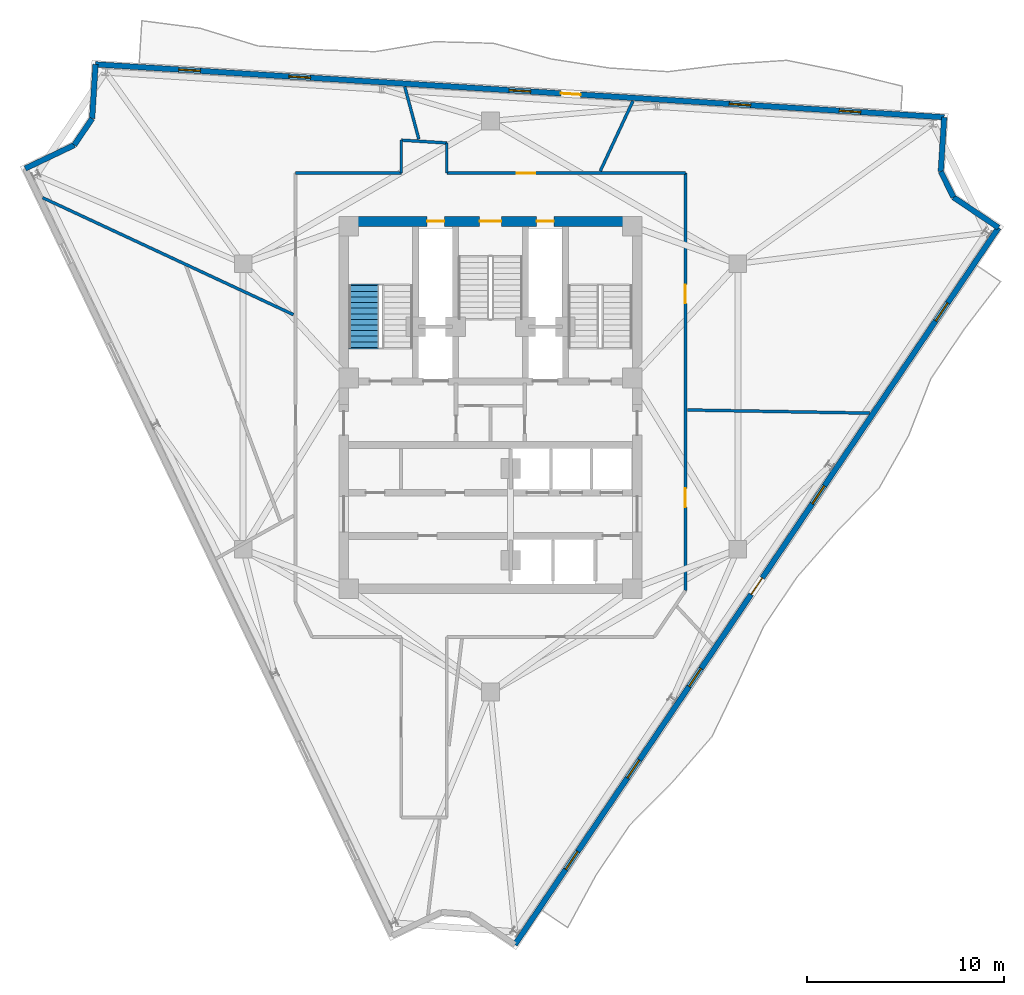
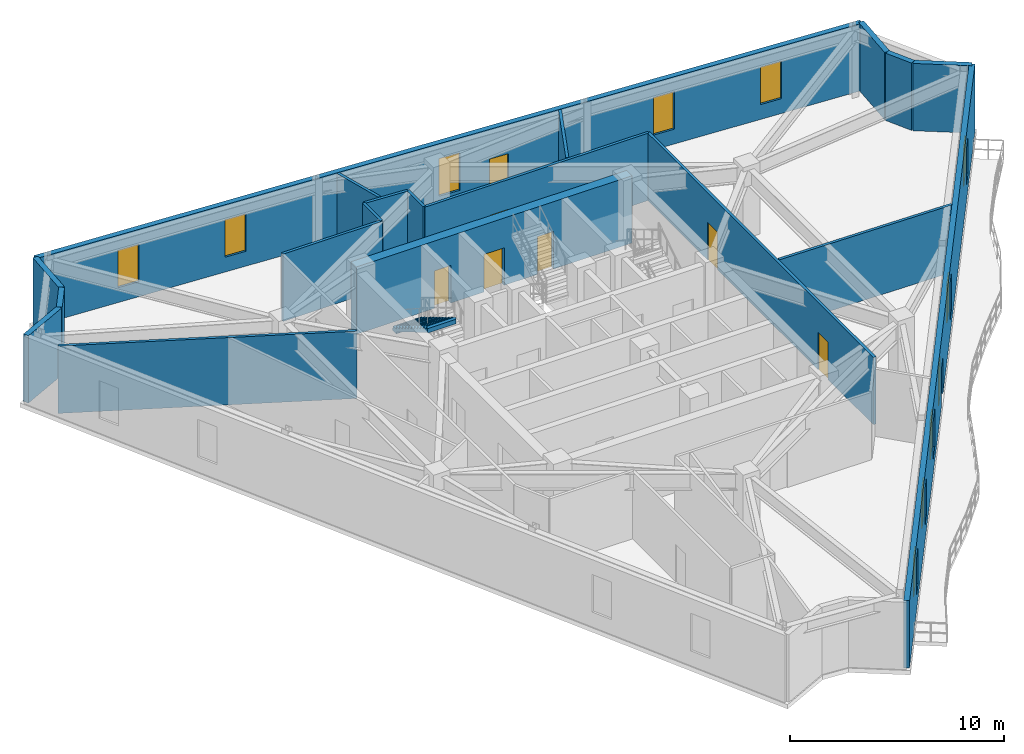
# One storey, part 7 of 10: 19 walls, 10 windows, 8 doors, 1 stair flight, 18 openings, 1 element without a shape of its own.
"""IFC4 building model written with IfcOpenShell, lengths in metres."""

from ifc_helpers import new_model, si_unit, direction, frame, frame_2d, origin, place, context, subcontext, project, spatial, polyline, rectangle, outline, extrude, material, layer, layer_set, type_object, element, fill, aggregate, save


model = new_model("IFC4")

# Units and contexts
model_context = context("Model", 3, precision=1e-05, world=origin(), true_north=direction((0.0, 1.0)))
body_context = subcontext(model_context, "Body", "Model", "MODEL_VIEW")
ifc_project = project(units=[si_unit("LENGTHUNIT", "METRE"), si_unit("AREAUNIT", "SQUARE_METRE"), si_unit("VOLUMEUNIT", "CUBIC_METRE"), si_unit("PLANEANGLEUNIT", "RADIAN"), si_unit("MASSUNIT", "GRAM", prefix="KILO")], contexts=[model_context])

# Site, building, storey
site_placement = place(None, origin())
site = spatial("IfcSite", under=ifc_project, at=site_placement, CompositionType="ELEMENT")
building_placement = place(site_placement, origin())
building = spatial("IfcBuilding", under=site, at=building_placement, Name="Apsidion Concourse Tower", CompositionType="ELEMENT")
storey_placement = place(building_placement, frame((0.0, 0.0, 310.60009765625)))
storey = spatial("IfcBuildingStorey", under=building, at=storey_placement, Name="L73", CompositionType="ELEMENT", Elevation=310.60009765625)

# Wall, openings, door, windows
ifc_material_1 = material(Name="Precast concrete C40/50", Category="concrete")
ifc_layer_1 = layer(ifc_material_1, 0.280029296875)
ifc_layer_set_1 = layer_set([ifc_layer_1], Name="Precast concrete C40/50")
wall_type_1 = type_object("IfcWallType", Name="WL-EXT-280", PredefinedType="STANDARD", material=ifc_layer_set_1)
wall_1_placement = place(storey_placement, frame((-20.056396484375, 17.376220703125, 0.0), z_axis=(0.0, 0.0, 1.0), x_axis=(0.998061236898, -0.06223959674, 0.0)))
wall_1 = element("IfcWall", 1, at=wall_1_placement, inside=storey, type_object=wall_type_1, Name="L73 Precast Stone Facade Wall 01", PredefinedType="STANDARD", context=body_context, shape_type="SweptSolid", body=[
    extrude(rectangle(XDim=43.179931640625, YDim=0.280029296875, at=frame_2d((21.58984375, 0.0))), origin(), (0.0, 0.0, 1.0), 3.849853515625),
])
opening_1_placement = place(wall_1_placement, frame((23.680908203125, 0.0, 0.0)))
opening_1 = element("IfcOpeningElement", 2, at=opening_1_placement, cuts=wall_1, Name="Opening D-T1L", PredefinedType="OPENING", context=body_context, shape_type="SweptSolid", body=[
    extrude(rectangle(XDim=1.0, YDim=2.14990234375, at=frame_2d((0.5, 1.074951171875))), frame((0.0, 0.14990234375, 0.0), z_axis=(0.0, -1.0, 0.0), x_axis=(1.0, 0.0, 0.0)), (0.0, 0.0, 1.0), 0.300048828125),
])
opening_2_placement = place(wall_1_placement, frame((4.239990234375, 0.0, 0.85009765625)))
opening_2 = element("IfcOpeningElement", 3, at=opening_2_placement, cuts=wall_1, Name="Opening WN-07", PredefinedType="OPENING", context=body_context, shape_type="SweptSolid", body=[
    extrude(rectangle(XDim=1.10009765625, YDim=2.14990234375, at=frame_2d((0.550048828125, 1.074951171875))), frame((0.0, 0.14990234375, 0.0), z_axis=(0.0, -1.0, 0.0), x_axis=(1.0, 0.0, 0.0)), (0.0, 0.0, 1.0), 0.300048828125),
])
opening_3_placement = place(wall_1_placement, frame((9.840087890625, 0.0, 0.85009765625)))
opening_3 = element("IfcOpeningElement", 4, at=opening_3_placement, cuts=wall_1, Name="Opening WN-07", PredefinedType="OPENING", context=body_context, shape_type="SweptSolid", body=[
    extrude(rectangle(XDim=1.10009765625, YDim=2.14990234375, at=frame_2d((0.550048828125, 1.074951171875))), frame((0.0, 0.14990234375, 0.0), z_axis=(0.0, -1.0, 0.0), x_axis=(1.0, 0.0, 0.0)), (0.0, 0.0, 1.0), 0.300048828125),
])
opening_4_placement = place(wall_1_placement, frame((21.0400390625, 0.0, 0.85009765625)))
opening_4 = element("IfcOpeningElement", 5, at=opening_4_placement, cuts=wall_1, Name="Opening WN-07", PredefinedType="OPENING", context=body_context, shape_type="SweptSolid", body=[
    extrude(rectangle(XDim=1.10009765625, YDim=2.14990234375, at=frame_2d((0.550048828125, 1.074951171875))), frame((0.0, 0.14990234375, 0.0), z_axis=(0.0, -1.0, 0.0), x_axis=(1.0, 0.0, 0.0)), (0.0, 0.0, 1.0), 0.300048828125),
])
opening_5_placement = place(wall_1_placement, frame((32.239990234375, 0.0, 0.85009765625)))
opening_5 = element("IfcOpeningElement", 6, at=opening_5_placement, cuts=wall_1, Name="Opening WN-07", PredefinedType="OPENING", context=body_context, shape_type="SweptSolid", body=[
    extrude(rectangle(XDim=1.10009765625, YDim=2.14990234375, at=frame_2d((0.550048828125, 1.074951171875))), frame((0.0, 0.14990234375, 0.0), z_axis=(0.0, -1.0, 0.0), x_axis=(1.0, 0.0, 0.0)), (0.0, 0.0, 1.0), 0.300048828125),
])
opening_6_placement = place(wall_1_placement, frame((37.840087890625, 0.0, 0.85009765625)))
opening_6 = element("IfcOpeningElement", 7, at=opening_6_placement, cuts=wall_1, Name="Opening WN-07", PredefinedType="OPENING", context=body_context, shape_type="SweptSolid", body=[
    extrude(rectangle(XDim=1.10009765625, YDim=2.14990234375, at=frame_2d((0.550048828125, 1.074951171875))), frame((0.0, 0.14990234375, 0.0), z_axis=(0.0, -1.0, 0.0), x_axis=(1.0, 0.0, 0.0)), (0.0, 0.0, 1.0), 0.300048828125),
])
ifc_material_2 = material(Name="Anodised aluminium EN AW-6063 T6", Category="aluminium")
door_type_1 = type_object("IfcDoorType", Name="DR-TER-1022L", OperationType="SINGLE_SWING_LEFT", PredefinedType="DOOR", material=ifc_material_2)
door_1_placement = place(opening_1_placement, origin())
door_1 = element("IfcDoor", 8, at=door_1_placement, inside=storey, type_object=door_type_1, Name="L73 Balcony Access Door 2", OperationType="SINGLE_SWING_LEFT", OverallHeight=2.14990234375, OverallWidth=1.0, PredefinedType="DOOR", context=body_context, shape_type="SweptSolid", body=[
    extrude(rectangle(XDim=1.0, YDim=2.14990234375, at=frame_2d((0.5, 1.074951171875))), frame((0.0, 0.02490234375, 0.0), z_axis=(0.0, -1.0, 0.0), x_axis=(1.0, 0.0, 0.0)), (0.0, 0.0, 1.0), 0.050048828125),
])
fill(opening_1, door_1)
ifc_material_3 = material(Name="Insulated laminated low-E glass", Category="glass")
window_type = type_object("IfcWindowType", Name="WN-OFF-1123", PartitioningType="SINGLE_PANEL", PredefinedType="WINDOW", material=ifc_material_3)
window_1_placement = place(opening_2_placement, origin())
window_1 = element("IfcWindow", 9, at=window_1_placement, inside=storey, type_object=window_type, Name="L73 Punched Facade Window 1-01", OverallHeight=2.14990234375, OverallWidth=1.10009765625, PartitioningType="SINGLE_PANEL", PredefinedType="WINDOW", context=body_context, shape_type="SweptSolid", body=[
    extrude(rectangle(XDim=1.10009765625, YDim=2.14990234375, at=frame_2d((0.550048828125, 1.074951171875))), frame((0.0, 0.030029296875, 0.0), z_axis=(0.0, -1.0, 0.0), x_axis=(1.0, 0.0, 0.0)), (0.0, 0.0, 1.0), 0.06005859375),
])
fill(opening_2, window_1)
window_2_placement = place(opening_3_placement, origin())
window_2 = element("IfcWindow", 10, at=window_2_placement, inside=storey, type_object=window_type, Name="L73 Punched Facade Window 1-02", OverallHeight=2.14990234375, OverallWidth=1.10009765625, PartitioningType="SINGLE_PANEL", PredefinedType="WINDOW", context=body_context, shape_type="SweptSolid", body=[
    extrude(rectangle(XDim=1.10009765625, YDim=2.14990234375, at=frame_2d((0.550048828125, 1.074951171875))), frame((0.0, 0.030029296875, 0.0), z_axis=(0.0, -1.0, 0.0), x_axis=(1.0, 0.0, 0.0)), (0.0, 0.0, 1.0), 0.06005859375),
])
fill(opening_3, window_2)
window_3_placement = place(opening_4_placement, origin())
window_3 = element("IfcWindow", 11, at=window_3_placement, inside=storey, type_object=window_type, Name="L73 Punched Facade Window 1-04", OverallHeight=2.14990234375, OverallWidth=1.10009765625, PartitioningType="SINGLE_PANEL", PredefinedType="WINDOW", context=body_context, shape_type="SweptSolid", body=[
    extrude(rectangle(XDim=1.10009765625, YDim=2.14990234375, at=frame_2d((0.550048828125, 1.074951171875))), frame((0.0, 0.030029296875, 0.0), z_axis=(0.0, -1.0, 0.0), x_axis=(1.0, 0.0, 0.0)), (0.0, 0.0, 1.0), 0.06005859375),
])
fill(opening_4, window_3)
window_4_placement = place(opening_5_placement, origin())
window_4 = element("IfcWindow", 12, at=window_4_placement, inside=storey, type_object=window_type, Name="L73 Punched Facade Window 1-06", OverallHeight=2.14990234375, OverallWidth=1.10009765625, PartitioningType="SINGLE_PANEL", PredefinedType="WINDOW", context=body_context, shape_type="SweptSolid", body=[
    extrude(rectangle(XDim=1.10009765625, YDim=2.14990234375, at=frame_2d((0.550048828125, 1.074951171875))), frame((0.0, 0.030029296875, 0.0), z_axis=(0.0, -1.0, 0.0), x_axis=(1.0, 0.0, 0.0)), (0.0, 0.0, 1.0), 0.06005859375),
])
fill(opening_5, window_4)
window_5_placement = place(opening_6_placement, origin())
window_5 = element("IfcWindow", 13, at=window_5_placement, inside=storey, type_object=window_type, Name="L73 Punched Facade Window 1-07", OverallHeight=2.14990234375, OverallWidth=1.10009765625, PartitioningType="SINGLE_PANEL", PredefinedType="WINDOW", context=body_context, shape_type="SweptSolid", body=[
    extrude(rectangle(XDim=1.10009765625, YDim=2.14990234375, at=frame_2d((0.550048828125, 1.074951171875))), frame((0.0, 0.030029296875, 0.0), z_axis=(0.0, -1.0, 0.0), x_axis=(1.0, 0.0, 0.0)), (0.0, 0.0, 1.0), 0.06005859375),
])
fill(opening_6, window_5)

# Walls
wall_2_placement = place(storey_placement, frame((23.039794921875, 14.688720703125, 0.0), z_axis=(0.0, 0.0, 1.0), x_axis=(-0.062295651102, -0.998057739739, 0.0)))
element("IfcWall", 14, at=wall_2_placement, inside=storey, type_object=wall_type_1, Name="L73 Precast Stone Facade Wall 02", PredefinedType="STANDARD", context=body_context, shape_type="SweptSolid", body=[
    extrude(rectangle(XDim=2.759033203125, YDim=0.280029296875, at=frame_2d((1.37939453125, 0.0))), origin(), (0.0, 0.0, 1.0), 3.849853515625),
])
wall_3_placement = place(storey_placement, frame((22.867919921875, 11.93505859375, 0.0), z_axis=(0.0, 0.0, 1.0), x_axis=(0.441785524615, -0.897120699929, 0.0)))
element("IfcWall", 15, at=wall_3_placement, inside=storey, type_object=wall_type_1, Name="L73 Precast Stone Facade Wall 03", PredefinedType="STANDARD", context=body_context, shape_type="SweptSolid", body=[
    extrude(rectangle(XDim=1.45947265625, YDim=0.280029296875, at=frame_2d((0.729736328125, 0.0))), origin(), (0.0, 0.0, 1.0), 3.849853515625),
])
wall_4_placement = place(storey_placement, frame((23.5126953125, 10.625732421875, 0.0), z_axis=(0.0, 0.0, 1.0), x_axis=(0.829056864924, -0.559164300294, 0.0)))
element("IfcWall", 16, at=wall_4_placement, inside=storey, type_object=wall_type_1, Name="L73 Precast Stone Facade Wall 04", PredefinedType="STANDARD", context=body_context, shape_type="SweptSolid", body=[
    extrude(rectangle(XDim=2.759033203125, YDim=0.280029296875, at=frame_2d((1.37939453125, 0.0))), origin(), (0.0, 0.0, 1.0), 3.849853515625),
])

# Wall, openings, door, windows
wall_5_placement = place(storey_placement, frame((25.800048828125, 9.0830078125, 0.0), z_axis=(0.0, 0.0, 1.0), x_axis=(-0.55919392155, -0.829036885851, 0.0)))
wall_5 = element("IfcWall", 17, at=wall_5_placement, inside=storey, type_object=wall_type_1, Name="L73 Precast Stone Facade Wall 05", PredefinedType="STANDARD", context=body_context, shape_type="SweptSolid", body=[
    extrude(rectangle(XDim=43.914794921875, YDim=0.280029296875, at=frame_2d((21.95751953125, 0.0))), origin(), (0.0, 0.0, 1.0), 3.849853515625),
])
opening_7_placement = place(wall_5_placement, frame((21.457275390625, 0.0, 0.0)))
opening_7 = element("IfcOpeningElement", 18, at=opening_7_placement, cuts=wall_5, Name="Opening D-T1R", PredefinedType="OPENING", context=body_context, shape_type="SweptSolid", body=[
    extrude(rectangle(XDim=1.0, YDim=2.14990234375, at=frame_2d((0.5, 1.074951171875))), frame((0.0, 0.14990234375, 0.0), z_axis=(0.0, -1.0, 0.0), x_axis=(1.0, 0.0, 0.0)), (0.0, 0.0, 1.0), 0.300048828125),
])
opening_8_placement = place(wall_5_placement, frame((4.607421875, 0.0, 0.85009765625)))
opening_8 = element("IfcOpeningElement", 19, at=opening_8_placement, cuts=wall_5, Name="Opening WN-07", PredefinedType="OPENING", context=body_context, shape_type="SweptSolid", body=[
    extrude(rectangle(XDim=1.10009765625, YDim=2.14990234375, at=frame_2d((0.550048828125, 1.074951171875))), frame((0.0, 0.14990234375, 0.0), z_axis=(0.0, -1.0, 0.0), x_axis=(1.0, 0.0, 0.0)), (0.0, 0.0, 1.0), 0.300048828125),
])
opening_9_placement = place(wall_5_placement, frame((15.807373046875, 0.0, 0.85009765625)))
opening_9 = element("IfcOpeningElement", 20, at=opening_9_placement, cuts=wall_5, Name="Opening WN-07", PredefinedType="OPENING", context=body_context, shape_type="SweptSolid", body=[
    extrude(rectangle(XDim=1.10009765625, YDim=2.14990234375, at=frame_2d((0.550048828125, 1.074951171875))), frame((0.0, 0.14990234375, 0.0), z_axis=(0.0, -1.0, 0.0), x_axis=(1.0, 0.0, 0.0)), (0.0, 0.0, 1.0), 0.300048828125),
])
opening_10_placement = place(wall_5_placement, frame((27.00732421875, 0.0, 0.85009765625)))
opening_10 = element("IfcOpeningElement", 21, at=opening_10_placement, cuts=wall_5, Name="Opening WN-07", PredefinedType="OPENING", context=body_context, shape_type="SweptSolid", body=[
    extrude(rectangle(XDim=1.10009765625, YDim=2.14990234375, at=frame_2d((0.550048828125, 1.074951171875))), frame((0.0, 0.14990234375, 0.0), z_axis=(0.0, -1.0, 0.0), x_axis=(1.0, 0.0, 0.0)), (0.0, 0.0, 1.0), 0.300048828125),
])
opening_11_placement = place(wall_5_placement, frame((32.607421875, 0.0, 0.85009765625)))
opening_11 = element("IfcOpeningElement", 22, at=opening_11_placement, cuts=wall_5, Name="Opening WN-07", PredefinedType="OPENING", context=body_context, shape_type="SweptSolid", body=[
    extrude(rectangle(XDim=1.10009765625, YDim=2.14990234375, at=frame_2d((0.550048828125, 1.074951171875))), frame((0.0, 0.14990234375, 0.0), z_axis=(0.0, -1.0, 0.0), x_axis=(1.0, 0.0, 0.0)), (0.0, 0.0, 1.0), 0.300048828125),
])
opening_12_placement = place(wall_5_placement, frame((38.207275390625, 0.0, 0.85009765625)))
opening_12 = element("IfcOpeningElement", 23, at=opening_12_placement, cuts=wall_5, Name="Opening WN-07", PredefinedType="OPENING", context=body_context, shape_type="SweptSolid", body=[
    extrude(rectangle(XDim=1.10009765625, YDim=2.14990234375, at=frame_2d((0.550048828125, 1.074951171875))), frame((0.0, 0.14990234375, 0.0), z_axis=(0.0, -1.0, 0.0), x_axis=(1.0, 0.0, 0.0)), (0.0, 0.0, 1.0), 0.300048828125),
])
door_type_2 = type_object("IfcDoorType", Name="DR-TER-1022R", OperationType="SINGLE_SWING_RIGHT", PredefinedType="DOOR", material=ifc_material_2)
door_2_placement = place(opening_7_placement, origin())
door_2 = element("IfcDoor", 24, at=door_2_placement, inside=storey, type_object=door_type_2, Name="L73 Balcony Access Door 1", OperationType="SINGLE_SWING_RIGHT", OverallHeight=2.14990234375, OverallWidth=1.0, PredefinedType="DOOR", context=body_context, shape_type="SweptSolid", body=[
    extrude(rectangle(XDim=1.0, YDim=2.14990234375, at=frame_2d((0.5, 1.074951171875))), frame((0.0, 0.02490234375, 0.0), z_axis=(0.0, -1.0, 0.0), x_axis=(1.0, 0.0, 0.0)), (0.0, 0.0, 1.0), 0.050048828125),
])
fill(opening_7, door_2)
window_6_placement = place(opening_8_placement, origin())
window_6 = element("IfcWindow", 25, at=window_6_placement, inside=storey, type_object=window_type, Name="L73 Punched Facade Window 5-01", OverallHeight=2.14990234375, OverallWidth=1.10009765625, PartitioningType="SINGLE_PANEL", PredefinedType="WINDOW", context=body_context, shape_type="SweptSolid", body=[
    extrude(rectangle(XDim=1.10009765625, YDim=2.14990234375, at=frame_2d((0.550048828125, 1.074951171875))), frame((0.0, 0.030029296875, 0.0), z_axis=(0.0, -1.0, 0.0), x_axis=(1.0, 0.0, 0.0)), (0.0, 0.0, 1.0), 0.06005859375),
])
fill(opening_8, window_6)
window_7_placement = place(opening_9_placement, origin())
window_7 = element("IfcWindow", 26, at=window_7_placement, inside=storey, type_object=window_type, Name="L73 Punched Facade Window 5-03", OverallHeight=2.14990234375, OverallWidth=1.10009765625, PartitioningType="SINGLE_PANEL", PredefinedType="WINDOW", context=body_context, shape_type="SweptSolid", body=[
    extrude(rectangle(XDim=1.10009765625, YDim=2.14990234375, at=frame_2d((0.550048828125, 1.074951171875))), frame((0.0, 0.030029296875, 0.0), z_axis=(0.0, -1.0, 0.0), x_axis=(1.0, 0.0, 0.0)), (0.0, 0.0, 1.0), 0.06005859375),
])
fill(opening_9, window_7)
window_8_placement = place(opening_10_placement, origin())
window_8 = element("IfcWindow", 27, at=window_8_placement, inside=storey, type_object=window_type, Name="L73 Punched Facade Window 5-05", OverallHeight=2.14990234375, OverallWidth=1.10009765625, PartitioningType="SINGLE_PANEL", PredefinedType="WINDOW", context=body_context, shape_type="SweptSolid", body=[
    extrude(rectangle(XDim=1.10009765625, YDim=2.14990234375, at=frame_2d((0.550048828125, 1.074951171875))), frame((0.0, 0.030029296875, 0.0), z_axis=(0.0, -1.0, 0.0), x_axis=(1.0, 0.0, 0.0)), (0.0, 0.0, 1.0), 0.06005859375),
])
fill(opening_10, window_8)
window_9_placement = place(opening_11_placement, origin())
window_9 = element("IfcWindow", 28, at=window_9_placement, inside=storey, type_object=window_type, Name="L73 Punched Facade Window 5-06", OverallHeight=2.14990234375, OverallWidth=1.10009765625, PartitioningType="SINGLE_PANEL", PredefinedType="WINDOW", context=body_context, shape_type="SweptSolid", body=[
    extrude(rectangle(XDim=1.10009765625, YDim=2.14990234375, at=frame_2d((0.550048828125, 1.074951171875))), frame((0.0, 0.030029296875, 0.0), z_axis=(0.0, -1.0, 0.0), x_axis=(1.0, 0.0, 0.0)), (0.0, 0.0, 1.0), 0.06005859375),
])
fill(opening_11, window_9)
window_10_placement = place(opening_12_placement, origin())
window_10 = element("IfcWindow", 29, at=window_10_placement, inside=storey, type_object=window_type, Name="L73 Punched Facade Window 5-07", OverallHeight=2.14990234375, OverallWidth=1.10009765625, PartitioningType="SINGLE_PANEL", PredefinedType="WINDOW", context=body_context, shape_type="SweptSolid", body=[
    extrude(rectangle(XDim=1.10009765625, YDim=2.14990234375, at=frame_2d((0.550048828125, 1.074951171875))), frame((0.0, 0.030029296875, 0.0), z_axis=(0.0, -1.0, 0.0), x_axis=(1.0, 0.0, 0.0)), (0.0, 0.0, 1.0), 0.06005859375),
])
fill(opening_12, window_10)

# Walls
wall_6_placement = place(storey_placement, frame((-23.62451171875, 12.0869140625, 0.0), z_axis=(0.0, 0.0, 1.0), x_axis=(0.902092306117, 0.431543127909, 0.0)))
element("IfcWall", 30, at=wall_6_placement, inside=storey, type_object=wall_type_1, Name="L73 Precast Stone Facade Wall 10", PredefinedType="STANDARD", context=body_context, shape_type="SweptSolid", body=[
    extrude(rectangle(XDim=2.76025390625, YDim=0.280029296875, at=frame_2d((1.380126953125, 0.0))), origin(), (0.0, 0.0, 1.0), 3.849853515625),
])
wall_7_placement = place(storey_placement, frame((-21.134521484375, 13.278076171875, 0.0), z_axis=(0.0, 0.0, 1.0), x_axis=(0.559107950815, 0.829094867512, 0.0)))
element("IfcWall", 31, at=wall_7_placement, inside=storey, type_object=wall_type_1, Name="L73 Precast Stone Facade Wall 11", PredefinedType="STANDARD", context=body_context, shape_type="SweptSolid", body=[
    extrude(rectangle(XDim=1.620361328125, YDim=0.280029296875, at=frame_2d((0.81005859375, 0.0))), origin(), (0.0, 0.0, 1.0), 3.849853515625),
])
wall_8_placement = place(storey_placement, frame((-20.228515625, 14.62158203125, 0.0), z_axis=(0.0, 0.0, 1.0), x_axis=(0.062361765106, 0.998053610911, 0.0)))
element("IfcWall", 32, at=wall_8_placement, inside=storey, type_object=wall_type_1, Name="L73 Precast Stone Facade Wall 12", PredefinedType="STANDARD", context=body_context, shape_type="SweptSolid", body=[
    extrude(rectangle(XDim=2.760009765625, YDim=0.280029296875, at=frame_2d((1.3798828125, 0.0))), origin(), (0.0, 0.0, 1.0), 3.849853515625),
])
ifc_material_4 = material(Name="Gypsum plasterboard partition")
ifc_layer_2 = layer(ifc_material_4, 0.14990234375)
ifc_layer_set_2 = layer_set([ifc_layer_2], Name="Gypsum plasterboard partition")
wall_type_2 = type_object("IfcWallType", Name="WL-INT-PAR-150", PredefinedType="PARTITIONING", material=ifc_layer_set_2)
wall_9_placement = place(storey_placement, frame((-9.89990234375, 11.85009765625, 0.0), z_axis=(0.0, 0.0, 1.0), x_axis=(1.0, 0.0, 0.0)))
element("IfcWall", 33, at=wall_9_placement, inside=storey, type_object=wall_type_2, Name="L73 Interior Partition WL-L73-CORR-04", PredefinedType="PARTITIONING", context=body_context, shape_type="SweptSolid", body=[
    extrude(rectangle(XDim=5.369873046875, YDim=0.14990234375, at=frame_2d((2.68505859375, 0.0))), origin(), (0.0, 0.0, 1.0), 3.849853515625),
])
wall_10_placement = place(storey_placement, frame((-4.530029296875, 11.85009765625, 0.0), z_axis=(0.0, 0.0, 1.0), x_axis=(0.0, 1.0, 0.0)))
element("IfcWall", 34, at=wall_10_placement, inside=storey, type_object=wall_type_2, Name="L73 Interior Partition WL-L73-CORR-05", PredefinedType="PARTITIONING", context=body_context, shape_type="SweptSolid", body=[
    extrude(rectangle(XDim=1.67724609375, YDim=0.14990234375, at=frame_2d((0.838623046875, 0.0))), origin(), (0.0, 0.0, 1.0), 3.849853515625),
])
wall_11_placement = place(storey_placement, frame((-4.530029296875, 13.52734375, 0.0), z_axis=(0.0, 0.0, 1.0), x_axis=(0.998061597532, -0.062233813416, 0.0)))
element("IfcWall", 35, at=wall_11_placement, inside=storey, type_object=wall_type_2, Name="L73 Interior Partition WL-L73-CORR-06", PredefinedType="PARTITIONING", context=body_context, shape_type="SweptSolid", body=[
    extrude(rectangle(XDim=2.314453125, YDim=0.14990234375, at=frame_2d((1.1572265625, 0.0))), origin(), (0.0, 0.0, 1.0), 3.849853515625),
])
wall_12_placement = place(storey_placement, frame((-2.219970703125, 13.38330078125, 0.0), z_axis=(0.0, 0.0, 1.0), x_axis=(0.0, -1.0, 0.0)))
element("IfcWall", 36, at=wall_12_placement, inside=storey, type_object=wall_type_2, Name="L73 Interior Partition WL-L73-CORR-07", PredefinedType="PARTITIONING", context=body_context, shape_type="SweptSolid", body=[
    extrude(rectangle(XDim=1.533203125, YDim=0.14990234375, at=frame_2d((0.7666015625, 0.0))), origin(), (0.0, 0.0, 1.0), 3.849853515625),
])

# Wall, opening, door
wall_13_placement = place(storey_placement, frame((-2.219970703125, 11.85009765625, 0.0), z_axis=(0.0, 0.0, 1.0), x_axis=(1.0, 0.0, 0.0)))
wall_13 = element("IfcWall", 37, at=wall_13_placement, inside=storey, type_object=wall_type_2, Name="L73 Interior Partition WL-L73-CORR-08", PredefinedType="PARTITIONING", context=body_context, shape_type="SweptSolid", body=[
    extrude(rectangle(XDim=12.119873046875, YDim=0.14990234375, at=frame_2d((6.06005859375, 0.0))), origin(), (0.0, 0.0, 1.0), 3.849853515625),
])
opening_13_placement = place(wall_13_placement, frame((3.5439453125, 0.0, 0.0)))
opening_13 = element("IfcOpeningElement", 38, at=opening_13_placement, cuts=wall_13, Name="Opening D-01L", PredefinedType="OPENING", context=body_context, shape_type="SweptSolid", body=[
    extrude(rectangle(XDim=0.949951171875, YDim=2.14990234375, at=frame_2d((0.47509765625, 1.074951171875))), frame((0.0, 0.0849609375, 0.0), z_axis=(0.0, -1.0, 0.0), x_axis=(1.0, 0.0, 0.0)), (0.0, 0.0, 1.0), 0.169921875),
])
ifc_material_5 = material(Name="Brushed stainless steel 316", Category="steel")
door_type_3 = type_object("IfcDoorType", Name="DR-INT-D01L", OperationType="SINGLE_SWING_LEFT", PredefinedType="DOOR", material=ifc_material_5)
door_3_placement = place(opening_13_placement, origin())
door_3 = element("IfcDoor", 39, at=door_3_placement, inside=storey, type_object=door_type_3, Name="L73 Corridor Entry Door 05", OperationType="SINGLE_SWING_LEFT", OverallHeight=2.14990234375, OverallWidth=0.949951171875, PredefinedType="DOOR", context=body_context, shape_type="SweptSolid", body=[
    extrude(rectangle(XDim=0.949951171875, YDim=2.14990234375, at=frame_2d((0.47509765625, 1.074951171875))), frame((0.0, 0.02490234375, 0.0), z_axis=(0.0, -1.0, 0.0), x_axis=(1.0, 0.0, 0.0)), (0.0, 0.0, 1.0), 0.050048828125),
])
fill(opening_13, door_3)

# Wall, openings, doors
wall_14_placement = place(storey_placement, frame((9.89990234375, 11.85009765625, 0.0), z_axis=(0.0, 0.0, 1.0), x_axis=(0.0, -1.0, 0.0)))
wall_14 = element("IfcWall", 40, at=wall_14_placement, inside=storey, type_object=wall_type_2, Name="L73 Interior Partition WL-L73-CORR-09", PredefinedType="PARTITIONING", context=body_context, shape_type="SweptSolid", body=[
    extrude(rectangle(XDim=21.198486328125, YDim=0.14990234375, at=frame_2d((10.59912109375, 0.0))), origin(), (0.0, 0.0, 1.0), 3.849853515625),
])
opening_14_placement = place(wall_14_placement, frame((16.0087890625, 0.0, 0.0)))
opening_14 = element("IfcOpeningElement", 41, at=opening_14_placement, cuts=wall_14, Name="Opening D-01L", PredefinedType="OPENING", context=body_context, shape_type="SweptSolid", body=[
    extrude(rectangle(XDim=0.949951171875, YDim=2.14990234375, at=frame_2d((0.47509765625, 1.074951171875))), frame((0.0, 0.0849609375, 0.0), z_axis=(0.0, -1.0, 0.0), x_axis=(1.0, 0.0, 0.0)), (0.0, 0.0, 1.0), 0.169921875),
])
opening_15_placement = place(wall_14_placement, frame((5.6640625, 0.0, 0.0)))
opening_15 = element("IfcOpeningElement", 42, at=opening_15_placement, cuts=wall_14, Name="Opening D-01R", PredefinedType="OPENING", context=body_context, shape_type="SweptSolid", body=[
    extrude(rectangle(XDim=0.949951171875, YDim=2.14990234375, at=frame_2d((0.47509765625, 1.074951171875))), frame((0.0, 0.0849609375, 0.0), z_axis=(0.0, -1.0, 0.0), x_axis=(1.0, 0.0, 0.0)), (0.0, 0.0, 1.0), 0.169921875),
])
door_4_placement = place(opening_14_placement, origin())
door_4 = element("IfcDoor", 43, at=door_4_placement, inside=storey, type_object=door_type_3, Name="L73 Corridor Entry Door 03", OperationType="SINGLE_SWING_LEFT", OverallHeight=2.14990234375, OverallWidth=0.949951171875, PredefinedType="DOOR", context=body_context, shape_type="SweptSolid", body=[
    extrude(rectangle(XDim=0.949951171875, YDim=2.14990234375, at=frame_2d((0.47509765625, 1.074951171875))), frame((0.0, 0.02490234375, 0.0), z_axis=(0.0, -1.0, 0.0), x_axis=(1.0, 0.0, 0.0)), (0.0, 0.0, 1.0), 0.050048828125),
])
fill(opening_14, door_4)
door_type_4 = type_object("IfcDoorType", Name="DR-INT-D01R", OperationType="SINGLE_SWING_RIGHT", PredefinedType="DOOR", material=ifc_material_5)
door_5_placement = place(opening_15_placement, origin())
door_5 = element("IfcDoor", 44, at=door_5_placement, inside=storey, type_object=door_type_4, Name="L73 Corridor Entry Door 04", OperationType="SINGLE_SWING_RIGHT", OverallHeight=2.14990234375, OverallWidth=0.949951171875, PredefinedType="DOOR", context=body_context, shape_type="SweptSolid", body=[
    extrude(rectangle(XDim=0.949951171875, YDim=2.14990234375, at=frame_2d((0.47509765625, 1.074951171875))), frame((0.0, 0.02490234375, 0.0), z_axis=(0.0, -1.0, 0.0), x_axis=(1.0, 0.0, 0.0)), (0.0, 0.0, 1.0), 0.050048828125),
])
fill(opening_15, door_5)

# Walls
wall_15_placement = place(storey_placement, frame((5.57470703125, 11.955078125, 0.0), z_axis=(0.0, 0.0, 1.0), x_axis=(0.422633924121, 0.906300483384, 0.0)))
element("IfcWall", 45, at=wall_15_placement, inside=storey, type_object=wall_type_2, Name="L73 Interior Partition WL-L73-RAD-01-1", PredefinedType="PARTITIONING", context=body_context, shape_type="SweptSolid", body=[
    extrude(rectangle(XDim=3.93212890625, YDim=0.14990234375, at=frame_2d((1.966064453125, 0.0))), origin(), (0.0, 0.0, 1.0), 3.849853515625),
])
wall_16_placement = place(storey_placement, frame((-3.637939453125, 13.576904296875, 0.0), z_axis=(0.0, 0.0, 1.0), x_axis=(-0.258764100705, 0.965940546921, 0.0)))
element("IfcWall", 46, at=wall_16_placement, inside=storey, type_object=wall_type_2, Name="L73 Interior Partition WL-L73-RAD-02-1", PredefinedType="PARTITIONING", context=body_context, shape_type="SweptSolid", body=[
    extrude(rectangle(XDim=2.7587890625, YDim=0.14990234375, at=frame_2d((1.37939453125, 0.0))), origin(), (0.0, 0.0, 1.0), 3.849853515625),
])
wall_17_placement = place(storey_placement, frame((-10.0048828125, 4.665283203125, 0.0), z_axis=(0.0, 0.0, 1.0), x_axis=(-0.906304243042, 0.422625861778, 0.0)))
element("IfcWall", 47, at=wall_17_placement, inside=storey, type_object=wall_type_2, Name="L73 Interior Partition WL-L73-RAD-03-1", PredefinedType="PARTITIONING", context=body_context, shape_type="SweptSolid", body=[
    extrude(rectangle(XDim=14.055908203125, YDim=0.14990234375, at=frame_2d((7.02783203125, 0.0))), origin(), (0.0, 0.0, 1.0), 3.849853515625),
])
wall_18_placement = place(storey_placement, frame((10.0048828125, -0.174560546875, 0.0), z_axis=(0.0, 0.0, 1.0), x_axis=(0.999847550881, -0.017460670009, 0.0)))
element("IfcWall", 48, at=wall_18_placement, inside=storey, type_object=wall_type_2, Name="L73 Interior Partition WL-L73-RAD-07-1", PredefinedType="PARTITIONING", context=body_context, shape_type="SweptSolid", body=[
    extrude(rectangle(XDim=9.25634765625, YDim=0.14990234375, at=frame_2d((4.628173828125, 0.0))), origin(), (0.0, 0.0, 1.0), 3.849853515625),
])

# Wall, openings, doors
ifc_material_6 = material(Name="Concrete C50/60", Category="concrete")
ifc_layer_3 = layer(ifc_material_6, 0.5)
ifc_layer_set_3 = layer_set([ifc_layer_3], Name="Concrete C50/60")
wall_type_3 = type_object("IfcWallType", Name="WL-SH-500", PredefinedType="SHEAR", material=ifc_layer_set_3)
wall_19_placement = place(storey_placement, frame((-7.449951171875, 9.39990234375, 0.0), z_axis=(0.0, 0.0, 1.0), x_axis=(1.0, 0.0, 0.0)))
wall_19 = element("IfcWall", 49, at=wall_19_placement, inside=storey, type_object=wall_type_3, Name="L73 Central Core Shear Wall N", PredefinedType="SHEAR", context=body_context, shape_type="SweptSolid", body=[
    extrude(rectangle(XDim=14.89990234375, YDim=0.5, at=frame_2d((7.449951171875, 0.0))), origin(), (0.0, 0.0, 1.0), 3.849853515625),
])
opening_16_placement = place(wall_19_placement, frame((6.89990234375, 0.0, 0.0)))
opening_16 = element("IfcOpeningElement", 50, at=opening_16_placement, cuts=wall_19, Name="Opening D-STL", PredefinedType="OPENING", context=body_context, shape_type="SweptSolid", body=[
    extrude(rectangle(XDim=1.10009765625, YDim=2.14990234375, at=frame_2d((0.550048828125, 1.074951171875))), frame((0.0, 0.260009765625, 0.0), z_axis=(0.0, -1.0, 0.0), x_axis=(1.0, 0.0, 0.0)), (0.0, 0.0, 1.0), 0.52001953125),
])
opening_17_placement = place(wall_19_placement, frame((4.22998046875, 0.0, 0.0)))
opening_17 = element("IfcOpeningElement", 51, at=opening_17_placement, cuts=wall_19, Name="Opening D-05L", PredefinedType="OPENING", context=body_context, shape_type="SweptSolid", body=[
    extrude(rectangle(XDim=0.8798828125, YDim=2.14990234375, at=frame_2d((0.43994140625, 1.074951171875))), frame((0.0, 0.260009765625, 0.0), z_axis=(0.0, -1.0, 0.0), x_axis=(1.0, 0.0, 0.0)), (0.0, 0.0, 1.0), 0.52001953125),
])
opening_18_placement = place(wall_19_placement, frame((9.7900390625, 0.0, 0.0)))
opening_18 = element("IfcOpeningElement", 52, at=opening_18_placement, cuts=wall_19, Name="Opening D-05R", PredefinedType="OPENING", context=body_context, shape_type="SweptSolid", body=[
    extrude(rectangle(XDim=0.8798828125, YDim=2.14990234375, at=frame_2d((0.43994140625, 1.074951171875))), frame((0.0, 0.260009765625, 0.0), z_axis=(0.0, -1.0, 0.0), x_axis=(1.0, 0.0, 0.0)), (0.0, 0.0, 1.0), 0.52001953125),
])
door_type_5 = type_object("IfcDoorType", Name="DR-INT-D05L", OperationType="SINGLE_SWING_LEFT", PredefinedType="DOOR", material=ifc_material_5)
door_6_placement = place(opening_17_placement, origin())
door_6 = element("IfcDoor", 53, at=door_6_placement, inside=storey, type_object=door_type_5, Name="L73 Electrical Riser Shaft Access Door", OperationType="SINGLE_SWING_LEFT", OverallHeight=2.14990234375, OverallWidth=0.8798828125, PredefinedType="DOOR", context=body_context, shape_type="SweptSolid", body=[
    extrude(rectangle(XDim=0.8798828125, YDim=2.14990234375, at=frame_2d((0.43994140625, 1.074951171875))), frame((0.0, 0.02490234375, 0.0), z_axis=(0.0, -1.0, 0.0), x_axis=(1.0, 0.0, 0.0)), (0.0, 0.0, 1.0), 0.050048828125),
])
fill(opening_17, door_6)
door_type_6 = type_object("IfcDoorType", Name="DR-INT-D05R", OperationType="SINGLE_SWING_RIGHT", PredefinedType="DOOR", material=ifc_material_5)
door_7_placement = place(opening_18_placement, origin())
door_7 = element("IfcDoor", 54, at=door_7_placement, inside=storey, type_object=door_type_6, Name="L73 Mechanical Riser Shaft Access Door", OperationType="SINGLE_SWING_RIGHT", OverallHeight=2.14990234375, OverallWidth=0.8798828125, PredefinedType="DOOR", context=body_context, shape_type="SweptSolid", body=[
    extrude(rectangle(XDim=0.8798828125, YDim=2.14990234375, at=frame_2d((0.43994140625, 1.074951171875))), frame((0.0, 0.02490234375, 0.0), z_axis=(0.0, -1.0, 0.0), x_axis=(1.0, 0.0, 0.0)), (0.0, 0.0, 1.0), 0.050048828125),
])
fill(opening_18, door_7)
door_type_7 = type_object("IfcDoorType", Name="DR-INT-ST1L", OperationType="SINGLE_SWING_LEFT", PredefinedType="DOOR", material=ifc_material_5)
door_8_placement = place(opening_16_placement, origin())
door_8 = element("IfcDoor", 55, at=door_8_placement, inside=storey, type_object=door_type_7, Name="L73 Core Exit Stair ST3 Door", OperationType="SINGLE_SWING_LEFT", OverallHeight=2.14990234375, OverallWidth=1.10009765625, PredefinedType="DOOR", context=body_context, shape_type="SweptSolid", body=[
    extrude(rectangle(XDim=1.10009765625, YDim=2.14990234375, at=frame_2d((0.550048828125, 1.074951171875))), frame((0.0, 0.02490234375, 0.0), z_axis=(0.0, -1.0, 0.0), x_axis=(1.0, 0.0, 0.0)), (0.0, 0.0, 1.0), 0.050048828125),
])
fill(opening_16, door_8)

# Stair, stair flight
stair_type = type_object("IfcStairType", Name="ST-DL-1550", PredefinedType="HALF_TURN_STAIR", material=ifc_material_1)
stair_placement = place(storey_placement, origin())
stair = element("IfcStair", 56, at=stair_placement, inside=storey, type_object=stair_type, Name="L73 Protected Core Exit Stair ST1", PredefinedType="HALF_TURN_STAIR")
stair_flight_type = type_object("IfcStairFlightType", Name="SFL-RC-1550", PredefinedType="STRAIGHT", material=ifc_material_1)
stair_flight_placement = place(storey_placement, frame((-6.425048828125, 6.135009765625, 2.0498046875), z_axis=(0.0, 0.0, 1.0), x_axis=(0.0, -1.0, 0.0)))
stair_flight = element("IfcStairFlight", 57, at=stair_flight_placement, type_object=stair_flight_type, Name="ST1 flight 2", NumberOfRisers=12, NumberOfTreads=11, PredefinedType="STRAIGHT", RiserHeight=0.170833333, TreadLength=0.285, context=body_context, shape_type="SweptSolid", body=[
    extrude(outline(polyline([(-0.080078125, -0.1123046875), (-0.080078125, 0.0), (0.0, 0.0), (0.0, 0.1708984375), (0.284912109375, 0.1708984375), (0.284912109375, 0.341552734375), (0.570068359375, 0.341552734375), (0.570068359375, 0.512451171875), (0.85498046875, 0.512451171875), (0.85498046875, 0.683349609375), (1.139892578125, 0.683349609375), (1.139892578125, 0.854248046875), (1.425048828125, 0.854248046875), (1.425048828125, 1.02490234375), (1.7099609375, 1.02490234375), (1.7099609375, 1.19580078125), (1.9951171875, 1.19580078125), (1.9951171875, 1.36669921875), (2.280029296875, 1.36669921875), (2.280029296875, 1.53759765625), (2.56494140625, 1.53759765625), (2.56494140625, 1.708251953125), (2.85009765625, 1.708251953125), (2.85009765625, 1.879150390625), (3.135009765625, 1.879150390625), (3.135009765625, 2.050048828125), (3.215087890625, 1.964599609375), (3.215087890625, 1.704345703125), (3.135009765625, 1.704345703125), (0.29150390625, 0.0), (0.29150390625, -0.1123046875), (-0.080078125, -0.1123046875)])), frame((0.0, 0.77490234375, 0.0), z_axis=(0.0, -1.0, 0.0), x_axis=(1.0, 0.0, 0.0)), (0.0, 0.0, 1.0), 1.550048828125),
])
aggregate(stair, [stair_flight])

save(model, "model.ifc")
